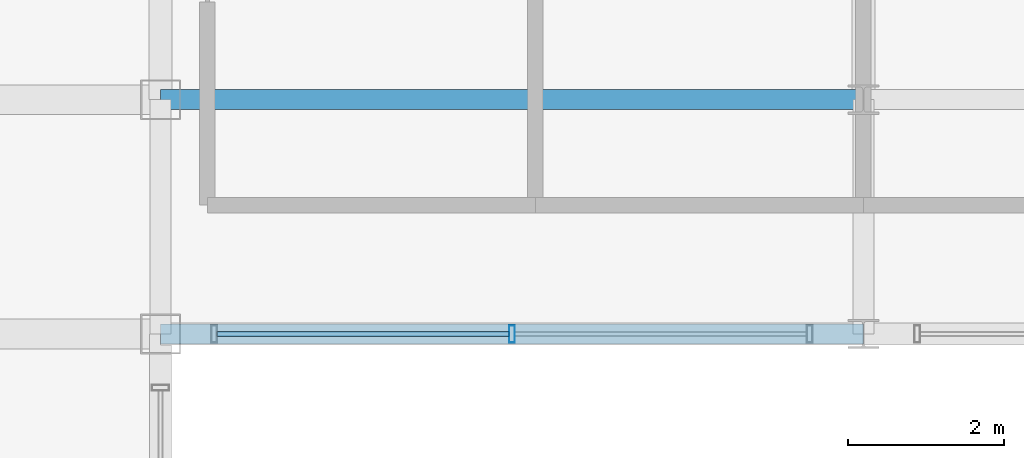
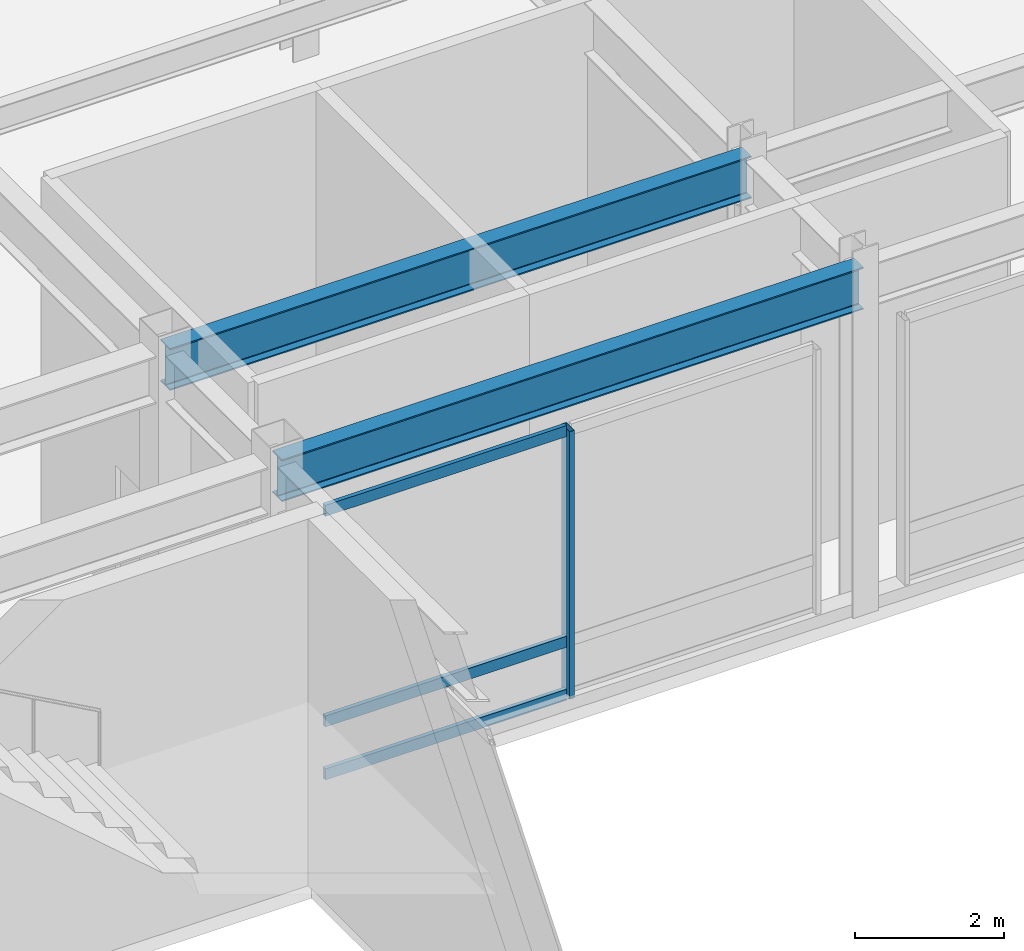
# One storey, part 68 of 108: 4 members, 2 beams, 1 element without a shape of its own.
"""IFC4 building model written with IfcOpenShell, lengths in metres."""

from ifc_helpers import new_model, si_unit, direction, frame, origin, origin_2d, place, context, subcontext, project, spatial, hollow_rectangle, i_section, extrude, material, material_profile, profile_set, type_object, element, aggregate, save


model = new_model("IFC4")

# Units and contexts
model_context = context("Model", 3, precision=1e-05, world=origin(), true_north=direction((0.0, 1.0)))
body_context = subcontext(model_context, "Body", "Model", "MODEL_VIEW")
ifc_project = project(units=[si_unit("LENGTHUNIT", "METRE"), si_unit("AREAUNIT", "SQUARE_METRE"), si_unit("VOLUMEUNIT", "CUBIC_METRE"), si_unit("PLANEANGLEUNIT", "RADIAN"), si_unit("MASSUNIT", "GRAM", prefix="KILO")], contexts=[model_context])

# Site, building, storey
site_placement = place(None, origin())
site = spatial("IfcSite", under=ifc_project, at=site_placement, CompositionType="ELEMENT")
building_placement = place(site_placement, origin())
building = spatial("IfcBuilding", under=site, at=building_placement, Name="Kaldorvane Square Convention Centre", CompositionType="ELEMENT")
storey_placement = place(building_placement, frame((0.0, 0.0, 12.0)))
storey = spatial("IfcBuildingStorey", under=building, at=storey_placement, Name="L02", CompositionType="ELEMENT", Elevation=12.0)

# Beams
ifc_material_1 = material(Name="Steel ASTM A992 Gr. 50", Category="steel")
ifc_material_profile_1 = material_profile(ifc_material_1, i_section(OverallWidth=0.25439453125, OverallDepth=0.6880950927734375, WebThickness=0.0131072998046875, FlangeThickness=0.0211029052734375, FilletRadius=0.01519775390625, at=origin_2d()), Name="W27X102")
ifc_profile_set_1 = profile_set([ifc_material_profile_1], Name="Steel ASTM A992 Gr. 50")
beam_type = type_object("IfcBeamType", Name="BM-GR-W27X102", PredefinedType="BEAM", material=ifc_profile_set_1)
for number, where, z_axis, x_axis, name in (
    (1, (138.0, 81.0, 5.3018951416015625), (1.0, 0.0, 0.0), (0.0, 1.0, 0.0), "Primary Girder (L02)"),
    (2, (138.0, 84.0, 5.3018951416015625), (1.0, 0.0, 0.0), (0.0, 1.0, 0.0), "Primary Girder (L02)"),
):
    element("IfcBeam", number, at=place(storey_placement, frame(where, z_axis=z_axis, x_axis=x_axis)), inside=storey, type_object=beam_type, Name=name, PredefinedType="BEAM", context=body_context, shape_type="SweptSolid", body=[
        extrude(i_section(OverallWidth=0.25439453125, OverallDepth=0.6880950927734375, WebThickness=0.0131072998046875, FlangeThickness=0.0211029052734375, FilletRadius=0.01519775390625, at=origin_2d()), origin(), (0.0, 0.0, 1.0), 9.0),
    ])

# Curtain wall, members
ifc_material_2 = material(Name="Anodized Aluminum and Low-E Insulated Glazing", Category="aluminium")
curtain_wall_type = type_object("IfcCurtainWallType", Name="CW-PTS-FC-60", PredefinedType="USERDEFINED", material=ifc_material_2)
curtain_wall_placement = place(storey_placement, origin())
curtain_wall = element("IfcCurtainWall", 3, at=curtain_wall_placement, inside=storey, type_object=curtain_wall_type, Name="Curtain Wall CW-07 (L02)", ObjectType="POINT SUPPORTED GLAZING", PredefinedType="USERDEFINED")
ifc_material_profile_2 = material_profile(ifc_material_2, hollow_rectangle(XDim=0.0749969482421875, YDim=0.220001220703125, WallThickness=0.003997802734375, at=origin_2d()), Name="CWM-220X75")
ifc_profile_set_2 = profile_set([ifc_material_profile_2], Name="Anodized Aluminum and Low-E Insulated Glazing")
member_type_1 = type_object("IfcMemberType", Name="CW-MUL-220", PredefinedType="MULLION", material=ifc_profile_set_2)
member_1_placement = place(storey_placement, frame((142.5, 81.0, 0.149993896484375), z_axis=(0.0, 0.0, 1.0), x_axis=(1.0, 0.0, 0.0)))
member_1 = element("IfcMember", 4, at=member_1_placement, type_object=member_type_1, Name="CW-07 mullion 2", PredefinedType="MULLION", context=body_context, shape_type="SweptSolid", body=[
    extrude(hollow_rectangle(XDim=0.0749969482421875, YDim=0.220001220703125, WallThickness=0.003997802734375, at=origin_2d()), origin(), (0.0, 0.0, 1.0), 4.3800048828125),
])
ifc_material_profile_3 = material_profile(ifc_material_2, hollow_rectangle(XDim=0.06500244140625, YDim=0.17999267578125, WallThickness=0.0034942626953125, at=origin_2d()), Name="CWT-180X65")
ifc_profile_set_3 = profile_set([ifc_material_profile_3], Name="Anodized Aluminum and Low-E Insulated Glazing")
member_type_2 = type_object("IfcMemberType", Name="CW-TRN-180", PredefinedType="USERDEFINED", material=ifc_profile_set_3)
member_2_placement = place(storey_placement, frame((138.72500610351562, 81.0, 0.1824951171875), z_axis=(1.0, 0.0, 0.0), x_axis=(0.0, 1.0, 0.0)))
member_2 = element("IfcMember", 5, at=member_2_placement, type_object=member_type_2, Name="CW-07 transom 1.1", ObjectType="TRANSOM", PredefinedType="USERDEFINED", context=body_context, shape_type="SweptSolid", body=[
    extrude(hollow_rectangle(XDim=0.06500244140625, YDim=0.17999267578125, WallThickness=0.0034942626953125, at=origin_2d()), origin(), (0.0, 0.0, 1.0), 3.73748779296875),
])
member_3_placement = place(storey_placement, frame((138.72500610351562, 81.0, 1.0500030517578125), z_axis=(1.0, 0.0, 0.0), x_axis=(0.0, 1.0, 0.0)))
member_3 = element("IfcMember", 6, at=member_3_placement, type_object=member_type_2, Name="CW-07 transom 1.2", ObjectType="TRANSOM", PredefinedType="USERDEFINED", context=body_context, shape_type="SweptSolid", body=[
    extrude(hollow_rectangle(XDim=0.06500244140625, YDim=0.17999267578125, WallThickness=0.0034942626953125, at=origin_2d()), origin(), (0.0, 0.0, 1.0), 3.73748779296875),
])
member_4_placement = place(storey_placement, frame((138.72500610351562, 81.0, 4.49749755859375), z_axis=(1.0, 0.0, 0.0), x_axis=(0.0, 1.0, 0.0)))
member_4 = element("IfcMember", 7, at=member_4_placement, type_object=member_type_2, Name="CW-07 transom 1.3", ObjectType="TRANSOM", PredefinedType="USERDEFINED", context=body_context, shape_type="SweptSolid", body=[
    extrude(hollow_rectangle(XDim=0.06500244140625, YDim=0.17999267578125, WallThickness=0.0034942626953125, at=origin_2d()), origin(), (0.0, 0.0, 1.0), 3.73748779296875),
])
aggregate(curtain_wall, [member_1, member_2, member_3, member_4])

save(model, "model.ifc")
